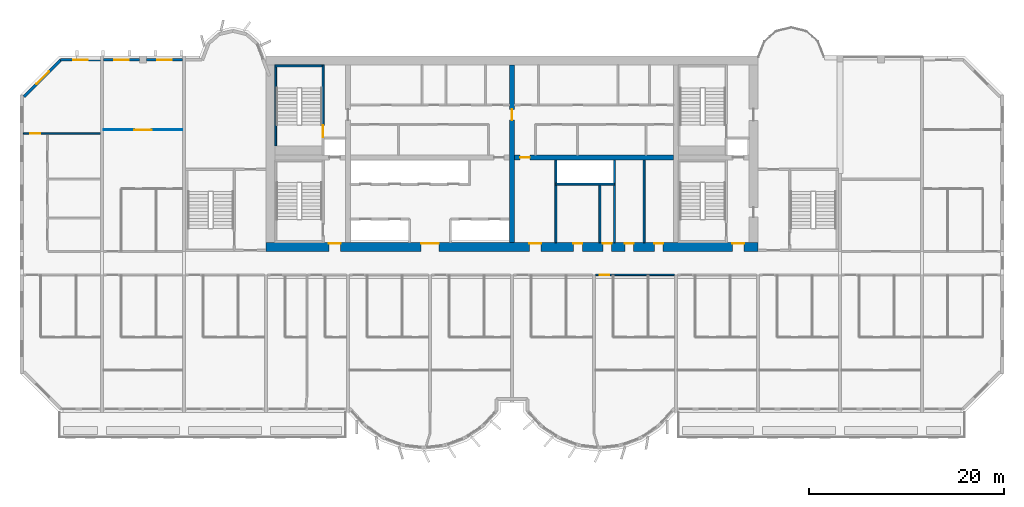
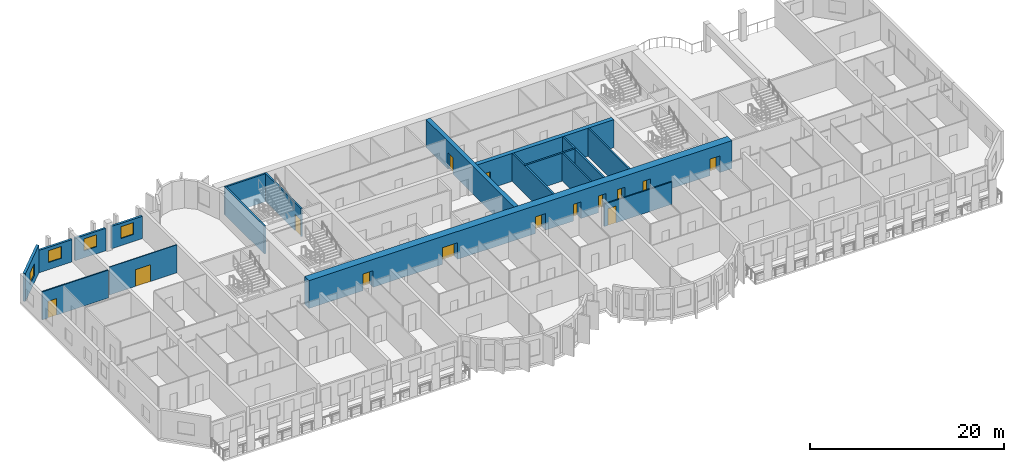
# One storey, part 7 of 15: 18 walls, 14 doors, 4 windows, 18 openings.
"""IFC4 building model written with IfcOpenShell, lengths in metres."""

from ifc_helpers import new_model, si_unit, direction, frame, frame_2d, origin, place, context, subcontext, project, spatial, rectangle, extrude, source, transform, mapped, material, layer, layer_set, type_object, element, fill, save


model = new_model("IFC4")

# Units and contexts
model_context = context("Model", 3, precision=1e-05, world=origin(), true_north=direction((0.0, 1.0)))
body_context = subcontext(model_context, "Body", "Model", "MODEL_VIEW")
ifc_project = project(units=[si_unit("LENGTHUNIT", "METRE"), si_unit("AREAUNIT", "SQUARE_METRE"), si_unit("VOLUMEUNIT", "CUBIC_METRE"), si_unit("PLANEANGLEUNIT", "RADIAN"), si_unit("MASSUNIT", "GRAM", prefix="KILO")], contexts=[model_context])

# Site, building, storey
site_placement = place(None, origin())
site = spatial("IfcSite", under=ifc_project, at=site_placement, CompositionType="ELEMENT")
building_placement = place(site_placement, origin())
building = spatial("IfcBuilding", under=site, at=building_placement, Name="Vanashikhar Sky Hotel", CompositionType="ELEMENT")
storey_placement = place(building_placement, frame((0.0, 0.0, 137.0)))
storey = spatial("IfcBuildingStorey", under=building, at=storey_placement, Name="L33", CompositionType="ELEMENT", Elevation=137.0)

# Wall, openings, doors
ifc_material_1 = material(Name="Concrete M70", Category="concrete")
ifc_layer_1 = layer(ifc_material_1, 0.89990234375)
ifc_layer_set_1 = layer_set([ifc_layer_1], Name="RC core shell wall 900 Concrete M70")
wall_type_1 = type_object("IfcWallType", Name="RC core shell wall 900 Concrete M70", PredefinedType="SHEAR", material=ifc_layer_set_1)
shared_shape_1 = source(origin(), body_context, "Body", "SweptSolid", [
    extrude(rectangle(XDim=50.400146484375, YDim=0.89990234375, at=frame_2d((25.2001953125, 0.0))), origin(), (0.0, 0.0, 1.0), 3.52001953125),
])
wall_1_placement = place(storey_placement, frame((25.199951171875, 22.449951171875, 0.0), z_axis=(0.0, 0.0, 1.0), x_axis=(1.0, 0.0, 0.0)))
wall_1 = element("IfcWall", 1, at=wall_1_placement, inside=storey, type_object=wall_type_1, Name="KW-L33-KS", PredefinedType="SHEAR", context=body_context, shape_type="MappedRepresentation", body=[
    mapped(shared_shape_1, transform((0.0, 0.0, 0.0), scale=1.0)),
])
shared_shape_2 = source(origin(), body_context, "Body", "SweptSolid", [
    extrude(rectangle(XDim=1.800048828125, YDim=2.10009765625, at=frame_2d((0.89990234375, 1.050048828125))), frame((0.0, 0.4599609375, 0.0), z_axis=(0.0, -1.0, 0.0), x_axis=(1.0, 0.0, 0.0)), (0.0, 0.0, 1.0), 0.919921875),
])
opening_1_placement = place(wall_1_placement, frame((15.89990234375, 0.0, 0.0)))
opening_1 = element("IfcOpeningElement", 2, at=opening_1_placement, cuts=wall_1, Name="Opening DC-3-A", PredefinedType="OPENING", context=body_context, shape_type="MappedRepresentation", body=[
    mapped(shared_shape_2, transform((0.0, 0.0, 0.0), scale=1.0)),
])
shared_shape_3 = source(origin(), body_context, "Body", "SweptSolid", [
    extrude(rectangle(XDim=1.199951171875, YDim=2.10009765625, at=frame_2d((0.60009765625, 1.050048828125))), frame((0.0, 0.4599609375, 0.0), z_axis=(0.0, -1.0, 0.0), x_axis=(1.0, 0.0, 0.0)), (0.0, 0.0, 1.0), 0.919921875),
])
opening_2_placement = place(wall_1_placement, frame((26.97509765625, 0.0, 0.0)))
opening_2 = element("IfcOpeningElement", 3, at=opening_2_placement, cuts=wall_1, Name="Opening DC-4-B", PredefinedType="OPENING", context=body_context, shape_type="MappedRepresentation", body=[
    mapped(shared_shape_3, transform((0.0, 0.0, 0.0), scale=1.0)),
])
shared_shape_4 = source(origin(), body_context, "Body", "SweptSolid", [
    extrude(rectangle(XDim=0.89990234375, YDim=2.10009765625, at=frame_2d((0.449951171875, 1.050048828125))), frame((0.0, 0.4599609375, 0.0), z_axis=(0.0, -1.0, 0.0), x_axis=(1.0, 0.0, 0.0)), (0.0, 0.0, 1.0), 0.919921875),
])
opening_3_placement = place(wall_1_placement, frame((34.5, 0.0, 0.0)))
opening_3 = element("IfcOpeningElement", 4, at=opening_3_placement, cuts=wall_1, Name="Opening DC-4-A", PredefinedType="OPENING", context=body_context, shape_type="MappedRepresentation", body=[
    mapped(shared_shape_4, transform((0.0, 0.0, 0.0), scale=1.0)),
])
opening_4_placement = place(wall_1_placement, frame((31.5, 0.0, 0.0)))
opening_4 = element("IfcOpeningElement", 5, at=opening_4_placement, cuts=wall_1, Name="Opening DC-4-A", PredefinedType="OPENING", context=body_context, shape_type="MappedRepresentation", body=[
    mapped(shared_shape_4, transform((0.0, 0.0, 0.0), scale=1.0)),
])
opening_5_placement = place(wall_1_placement, frame((39.7880859375, 0.0, 0.0)))
opening_5 = element("IfcOpeningElement", 6, at=opening_5_placement, cuts=wall_1, Name="Opening DC-4-A", PredefinedType="OPENING", context=body_context, shape_type="MappedRepresentation", body=[
    mapped(shared_shape_4, transform((0.0, 0.0, 0.0), scale=1.0)),
])
opening_6_placement = place(wall_1_placement, frame((36.761962890625, 0.0, 0.0)))
opening_6 = element("IfcOpeningElement", 7, at=opening_6_placement, cuts=wall_1, Name="Opening DC-4-A", PredefinedType="OPENING", context=body_context, shape_type="MappedRepresentation", body=[
    mapped(shared_shape_4, transform((0.0, 0.0, 0.0), scale=1.0)),
])
opening_7_placement = place(wall_1_placement, frame((6.449951171875, 0.0, 0.0)))
opening_7 = element("IfcOpeningElement", 8, at=opening_7_placement, cuts=wall_1, Name="Opening DC-2", PredefinedType="OPENING", context=body_context, shape_type="MappedRepresentation", body=[
    mapped(shared_shape_3, transform((0.0, 0.0, 0.0), scale=1.0)),
])
opening_8_placement = place(wall_1_placement, frame((47.77490234375, 0.0, 0.0)))
opening_8 = element("IfcOpeningElement", 9, at=opening_8_placement, cuts=wall_1, Name="Opening DC-2", PredefinedType="OPENING", context=body_context, shape_type="MappedRepresentation", body=[
    mapped(shared_shape_3, transform((0.0, 0.0, 0.0), scale=1.0)),
])
ifc_material_2 = material(Name="Glass", Category="glass")
door_type_1 = type_object("IfcDoorType", Name="Lift lobby entrance door 1800 FD30S", OperationType="NOTDEFINED", PredefinedType="DOOR", material=ifc_material_2)
shared_shape_5 = source(origin(), body_context, "Body", "SweptSolid", [
    extrude(rectangle(XDim=1.800048828125, YDim=2.10009765625, at=frame_2d((0.89990234375, 1.050048828125))), frame((0.0, 0.375, 0.0), z_axis=(0.0, -1.0, 0.0), x_axis=(1.0, 0.0, 0.0)), (0.0, 0.0, 1.0), 0.050048828125),
])
door_1_placement = place(opening_1_placement, origin())
door_1 = element("IfcDoor", 10, at=door_1_placement, inside=storey, type_object=door_type_1, Name="Lift lobby entrance door 1800 FD30S", OperationType="DOUBLE_DOOR_SINGLE_SWING", OverallHeight=2.10009765625, OverallWidth=1.800048828125, PredefinedType="DOOR", context=body_context, shape_type="MappedRepresentation", body=[
    mapped(shared_shape_5, transform((0.0, 0.0, 0.0), scale=1.0)),
])
fill(opening_1, door_1)
ifc_material_3 = material(Name="Steel", Category="steel")
door_type_2 = type_object("IfcDoorType", Name="Service door 1200 FD60", OperationType="NOTDEFINED", PredefinedType="DOOR", material=ifc_material_3)
shared_shape_6 = source(origin(), body_context, "Body", "SweptSolid", [
    extrude(rectangle(XDim=1.199951171875, YDim=2.10009765625, at=frame_2d((0.60009765625, 1.050048828125))), frame((0.0, 0.375, 0.0), z_axis=(0.0, -1.0, 0.0), x_axis=(1.0, 0.0, 0.0)), (0.0, 0.0, 1.0), 0.050048828125),
])
door_2_placement = place(opening_2_placement, origin())
door_2 = element("IfcDoor", 11, at=door_2_placement, inside=storey, type_object=door_type_2, Name="Service door 1200 FD60", OperationType="SINGLE_SWING_LEFT", OverallHeight=2.10009765625, OverallWidth=1.199951171875, PredefinedType="DOOR", context=body_context, shape_type="MappedRepresentation", body=[
    mapped(shared_shape_6, transform((0.0, 0.0, 0.0), scale=1.0)),
])
fill(opening_2, door_2)
door_type_3 = type_object("IfcDoorType", Name="Firefighting lobby door 1200 FD120", OperationType="NOTDEFINED", PredefinedType="DOOR", material=ifc_material_3)
door_3_placement = place(opening_7_placement, origin())
door_3 = element("IfcDoor", 12, at=door_3_placement, inside=storey, type_object=door_type_3, Name="Firefighting lobby door 1200 FD120", OperationType="SINGLE_SWING_LEFT", OverallHeight=2.10009765625, OverallWidth=1.199951171875, PredefinedType="DOOR", context=body_context, shape_type="MappedRepresentation", body=[
    mapped(shared_shape_6, transform((0.0, 0.0, 0.0), scale=1.0)),
])
fill(opening_7, door_3)
door_4_placement = place(opening_8_placement, origin())
door_4 = element("IfcDoor", 13, at=door_4_placement, inside=storey, type_object=door_type_3, Name="Firefighting lobby door 1200 FD120", OperationType="SINGLE_SWING_LEFT", OverallHeight=2.10009765625, OverallWidth=1.199951171875, PredefinedType="DOOR", context=body_context, shape_type="MappedRepresentation", body=[
    mapped(shared_shape_6, transform((0.0, 0.0, 0.0), scale=1.0)),
])
fill(opening_8, door_4)
door_type_4 = type_object("IfcDoorType", Name="Service door 900 FD60", OperationType="NOTDEFINED", PredefinedType="DOOR", material=ifc_material_3)
shared_shape_7 = source(origin(), body_context, "Body", "SweptSolid", [
    extrude(rectangle(XDim=0.89990234375, YDim=2.10009765625, at=frame_2d((0.449951171875, 1.050048828125))), frame((0.0, 0.375, 0.0), z_axis=(0.0, -1.0, 0.0), x_axis=(1.0, 0.0, 0.0)), (0.0, 0.0, 1.0), 0.050048828125),
])
door_5_placement = place(opening_3_placement, origin())
door_5 = element("IfcDoor", 14, at=door_5_placement, inside=storey, type_object=door_type_4, Name="Service door 900 FD60", OperationType="SINGLE_SWING_LEFT", OverallHeight=2.10009765625, OverallWidth=0.89990234375, PredefinedType="DOOR", context=body_context, shape_type="MappedRepresentation", body=[
    mapped(shared_shape_7, transform((0.0, 0.0, 0.0), scale=1.0)),
])
fill(opening_3, door_5)
door_6_placement = place(opening_4_placement, origin())
door_6 = element("IfcDoor", 15, at=door_6_placement, inside=storey, type_object=door_type_4, Name="Service door 900 FD60", OperationType="SINGLE_SWING_RIGHT", OverallHeight=2.10009765625, OverallWidth=0.89990234375, PredefinedType="DOOR", context=body_context, shape_type="MappedRepresentation", body=[
    mapped(shared_shape_7, transform((0.0, 0.0, 0.0), scale=1.0)),
])
fill(opening_4, door_6)
door_7_placement = place(opening_5_placement, origin())
door_7 = element("IfcDoor", 16, at=door_7_placement, inside=storey, type_object=door_type_4, Name="Service door 900 FD60", OperationType="SINGLE_SWING_LEFT", OverallHeight=2.10009765625, OverallWidth=0.89990234375, PredefinedType="DOOR", context=body_context, shape_type="MappedRepresentation", body=[
    mapped(shared_shape_7, transform((0.0, 0.0, 0.0), scale=1.0)),
])
fill(opening_5, door_7)
door_8_placement = place(opening_6_placement, origin())
door_8 = element("IfcDoor", 17, at=door_8_placement, inside=storey, type_object=door_type_4, Name="Service door 900 FD60", OperationType="SINGLE_SWING_RIGHT", OverallHeight=2.10009765625, OverallWidth=0.89990234375, PredefinedType="DOOR", context=body_context, shape_type="MappedRepresentation", body=[
    mapped(shared_shape_7, transform((0.0, 0.0, 0.0), scale=1.0)),
])
fill(opening_6, door_8)

# Wall, opening, door
ifc_layer_2 = layer(ifc_material_1, 0.5)
ifc_layer_set_2 = layer_set([ifc_layer_2], Name="RC core inner wall 500 Concrete M70")
wall_type_2 = type_object("IfcWallType", Name="RC core inner wall 500 Concrete M70", PredefinedType="SHEAR", material=ifc_layer_set_2)
shared_shape_8 = source(origin(), body_context, "Body", "SweptSolid", [
    extrude(rectangle(XDim=18.2001953125, YDim=0.5, at=frame_2d((9.10009765625, 0.0))), origin(), (0.0, 0.0, 1.0), 3.52001953125),
])
wall_2_placement = place(storey_placement, frame((50.39990234375, 22.89990234375, 0.0), z_axis=(0.0, 0.0, 1.0), x_axis=(0.0, 1.0, 0.0)))
wall_2 = element("IfcWall", 18, at=wall_2_placement, inside=storey, type_object=wall_type_2, Name="KW-L33-KX2", PredefinedType="SHEAR", context=body_context, shape_type="MappedRepresentation", body=[
    mapped(shared_shape_8, transform((0.0, 0.0, 0.0), scale=1.0)),
])
shared_shape_9 = source(origin(), body_context, "Body", "SweptSolid", [
    extrude(rectangle(XDim=1.10009765625, YDim=2.10009765625, at=frame_2d((0.550048828125, 1.050048828125))), frame((0.0, 0.260009765625, 0.0), z_axis=(0.0, -1.0, 0.0), x_axis=(1.0, 0.0, 0.0)), (0.0, 0.0, 1.0), 0.52001953125),
])
opening_9_placement = place(wall_2_placement, frame((12.550048828125, 0.0, 0.0)))
opening_9 = element("IfcOpeningElement", 19, at=opening_9_placement, cuts=wall_2, Name="Opening DC-4-C", PredefinedType="OPENING", context=body_context, shape_type="MappedRepresentation", body=[
    mapped(shared_shape_9, transform((0.0, 0.0, 0.0), scale=1.0)),
])
door_type_5 = type_object("IfcDoorType", Name="Service door 1100 FD60", OperationType="NOTDEFINED", PredefinedType="DOOR", material=ifc_material_3)
shared_shape_10 = source(origin(), body_context, "Body", "SweptSolid", [
    extrude(rectangle(XDim=1.10009765625, YDim=2.10009765625, at=frame_2d((0.550048828125, 1.050048828125))), frame((0.0, 0.02490234375, 0.0), z_axis=(0.0, -1.0, 0.0), x_axis=(1.0, 0.0, 0.0)), (0.0, 0.0, 1.0), 0.050048828125),
])
door_9_placement = place(opening_9_placement, origin())
door_9 = element("IfcDoor", 20, at=door_9_placement, inside=storey, type_object=door_type_5, Name="Service door 1100 FD60", OperationType="SINGLE_SWING_LEFT", OverallHeight=2.10009765625, OverallWidth=1.10009765625, PredefinedType="DOOR", context=body_context, shape_type="MappedRepresentation", body=[
    mapped(shared_shape_10, transform((0.0, 0.0, 0.0), scale=1.0)),
])
fill(opening_9, door_9)

shared_shape_11 = source(origin(), body_context, "Body", "SweptSolid", [
    extrude(rectangle(XDim=16.300048828125, YDim=0.5, at=frame_2d((8.14990234375, 0.0))), origin(), (0.0, 0.0, 1.0), 3.52001953125),
])
wall_3_placement = place(storey_placement, frame((50.64990234375, 31.60009765625, 0.0), z_axis=(0.0, 0.0, 1.0), x_axis=(1.0, 0.0, 0.0)))
wall_3 = element("IfcWall", 21, at=wall_3_placement, inside=storey, type_object=wall_type_2, Name="KW-L33-KY3", PredefinedType="SHEAR", context=body_context, shape_type="MappedRepresentation", body=[
    mapped(shared_shape_11, transform((0.0, 0.0, 0.0), scale=1.0)),
])
shared_shape_12 = source(origin(), body_context, "Body", "SweptSolid", [
    extrude(rectangle(XDim=1.0, YDim=2.10009765625, at=frame_2d((0.5, 1.050048828125))), frame((0.0, 0.260009765625, 0.0), z_axis=(0.0, -1.0, 0.0), x_axis=(1.0, 0.0, 0.0)), (0.0, 0.0, 1.0), 0.52001953125),
])
opening_10_placement = place(wall_3_placement, frame((0.574951171875, 0.0, 0.0)))
opening_10 = element("IfcOpeningElement", 22, at=opening_10_placement, cuts=wall_3, Name="Opening DC-4", PredefinedType="OPENING", context=body_context, shape_type="MappedRepresentation", body=[
    mapped(shared_shape_12, transform((0.0, 0.0, 0.0), scale=1.0)),
])
door_type_6 = type_object("IfcDoorType", Name="Service door 1000 FD60", OperationType="NOTDEFINED", PredefinedType="DOOR", material=ifc_material_3)
shared_shape_13 = source(origin(), body_context, "Body", "SweptSolid", [
    extrude(rectangle(XDim=1.0, YDim=2.10009765625, at=frame_2d((0.5, 1.050048828125))), frame((0.0, 0.02490234375, 0.0), z_axis=(0.0, -1.0, 0.0), x_axis=(1.0, 0.0, 0.0)), (0.0, 0.0, 1.0), 0.050048828125),
])
door_10_placement = place(opening_10_placement, origin())
door_10 = element("IfcDoor", 23, at=door_10_placement, inside=storey, type_object=door_type_6, Name="Service door 1000 FD60", OperationType="SINGLE_SWING_LEFT", OverallHeight=2.10009765625, OverallWidth=1.0, PredefinedType="DOOR", context=body_context, shape_type="MappedRepresentation", body=[
    mapped(shared_shape_13, transform((0.0, 0.0, 0.0), scale=1.0)),
])
fill(opening_10, door_10)

# Wall, opening, window
ifc_material_4 = material(Name="Concrete M50", Category="concrete")
ifc_layer_3 = layer(ifc_material_4, 0.300048828125)
ifc_layer_set_3 = layer_set([ifc_layer_3], Name="Lobe wall 300")
wall_type_3 = type_object("IfcWallType", Name="Lobe wall 300", PredefinedType="SOLIDWALL", material=ifc_layer_set_3)
shared_shape_14 = source(origin(), body_context, "Body", "SweptSolid", [
    extrude(rectangle(XDim=5.32568359375, YDim=0.300048828125, at=frame_2d((2.662841796875, 0.0))), origin(), (0.0, 0.0, 1.0), 3.52001953125),
])
wall_4_placement = place(storey_placement, frame((4.165771484375, 41.60009765625, 0.0), z_axis=(0.0, 0.0, 1.0), x_axis=(-0.707106781187, -0.707106781187, 0.0)))
wall_4 = element("IfcWall", 24, at=wall_4_placement, inside=storey, type_object=wall_type_3, Name="Corner wall", PredefinedType="SOLIDWALL", context=body_context, shape_type="MappedRepresentation", body=[
    mapped(shared_shape_14, transform((0.0, 0.0, 0.0), scale=1.0)),
])
shared_shape_15 = source(origin(), body_context, "Body", "SweptSolid", [
    extrude(rectangle(XDim=1.800048828125, YDim=1.5, at=frame_2d((0.89990234375, 0.75))), frame((0.0, 0.16015625, 0.0), z_axis=(0.0, -1.0, 0.0), x_axis=(1.0, 0.0, 0.0)), (0.0, 0.0, 1.0), 0.320068359375),
])
opening_11_placement = place(wall_4_placement, frame((1.671875, 0.0, 0.89990234375)))
opening_11 = element("IfcOpeningElement", 25, at=opening_11_placement, cuts=wall_4, Name="Opening WN-4", PredefinedType="OPENING", context=body_context, shape_type="MappedRepresentation", body=[
    mapped(shared_shape_15, transform((0.0, 0.0, 0.0), scale=1.0)),
])
window_type_1 = type_object("IfcWindowType", Name="Corner window 1800 x 1500", PartitioningType="SINGLE_PANEL", PredefinedType="WINDOW", material=ifc_material_2)
shared_shape_16 = source(origin(), body_context, "Body", "SweptSolid", [
    extrude(rectangle(XDim=1.800048828125, YDim=1.5, at=frame_2d((0.89990234375, 0.75))), frame((0.0, 0.030029296875, 0.0), z_axis=(0.0, -1.0, 0.0), x_axis=(1.0, 0.0, 0.0)), (0.0, 0.0, 1.0), 0.06005859375),
])
window_1_placement = place(opening_11_placement, origin())
window_1 = element("IfcWindow", 26, at=window_1_placement, inside=storey, type_object=window_type_1, Name="Window WN-4", OverallHeight=1.5, OverallWidth=1.800048828125, PartitioningType="SINGLE_PANEL", PredefinedType="WINDOW", context=body_context, shape_type="MappedRepresentation", body=[
    mapped(shared_shape_16, transform((0.0, 0.0, 0.0), scale=1.0)),
])
fill(opening_11, window_1)

ifc_layer_4 = layer(ifc_material_4, 0.25)
ifc_layer_set_4 = layer_set([ifc_layer_4], Name="Rear and end board-marked wall 250")
wall_type_4 = type_object("IfcWallType", Name="Rear and end board-marked wall 250", PredefinedType="SOLIDWALL", material=ifc_layer_set_4)
shared_shape_17 = source(origin(), body_context, "Body", "SweptSolid", [
    extrude(rectangle(XDim=4.06982421875, YDim=0.25, at=frame_2d((2.034912109375, 0.0))), origin(), (0.0, 0.0, 1.0), 2.820068359375),
])
wall_5_placement = place(storey_placement, frame((8.22509765625, 41.625, 0.0), z_axis=(0.0, 0.0, 1.0), x_axis=(-1.0, 0.0, 0.0)))
wall_5 = element("IfcWall", 27, at=wall_5_placement, inside=storey, type_object=wall_type_4, Name="Rear board-marked wall", PredefinedType="SOLIDWALL", context=body_context, shape_type="MappedRepresentation", body=[
    mapped(shared_shape_17, transform((0.0, 0.0, 0.0), scale=1.0)),
])
shared_shape_18 = source(origin(), body_context, "Body", "SweptSolid", [
    extrude(rectangle(XDim=1.5, YDim=1.5, at=frame_2d((0.75, 0.75))), frame((0.0, 0.135009765625, 0.0), z_axis=(0.0, -1.0, 0.0), x_axis=(1.0, 0.0, 0.0)), (0.0, 0.0, 1.0), 0.27001953125),
])
opening_12_placement = place(wall_5_placement, frame((1.284912109375, 0.0, 0.89990234375)))
opening_12 = element("IfcOpeningElement", 28, at=opening_12_placement, cuts=wall_5, Name="Opening WN-1", PredefinedType="OPENING", context=body_context, shape_type="MappedRepresentation", body=[
    mapped(shared_shape_18, transform((0.0, 0.0, 0.0), scale=1.0)),
])
window_type_2 = type_object("IfcWindowType", Name="Window 1500 x 1500", PartitioningType="SINGLE_PANEL", PredefinedType="WINDOW", material=ifc_material_2)
shared_shape_19 = source(origin(), body_context, "Body", "SweptSolid", [
    extrude(rectangle(XDim=1.5, YDim=1.5, at=frame_2d((0.75, 0.75))), frame((0.0, 0.030029296875, 0.0), z_axis=(0.0, -1.0, 0.0), x_axis=(1.0, 0.0, 0.0)), (0.0, 0.0, 1.0), 0.06005859375),
])
window_2_placement = place(opening_12_placement, origin())
window_2 = element("IfcWindow", 29, at=window_2_placement, inside=storey, type_object=window_type_2, Name="Window WN-1", OverallHeight=1.5, OverallWidth=1.5, PartitioningType="SINGLE_PANEL", PredefinedType="WINDOW", context=body_context, shape_type="MappedRepresentation", body=[
    mapped(shared_shape_19, transform((0.0, 0.0, 0.0), scale=1.0)),
])
fill(opening_12, window_2)

shared_shape_20 = source(origin(), body_context, "Body", "SweptSolid", [
    extrude(rectangle(XDim=3.675048828125, YDim=0.25, at=frame_2d((1.83740234375, 0.0))), origin(), (0.0, 0.0, 1.0), 2.820068359375),
])
wall_6_placement = place(storey_placement, frame((12.25, 41.625, 0.0), z_axis=(0.0, 0.0, 1.0), x_axis=(-1.0, 0.0, 0.0)))
wall_6 = element("IfcWall", 30, at=wall_6_placement, inside=storey, type_object=wall_type_4, Name="Rear board-marked wall", PredefinedType="SOLIDWALL", context=body_context, shape_type="MappedRepresentation", body=[
    mapped(shared_shape_20, transform((0.0, 0.0, 0.0), scale=1.0)),
])
opening_13_placement = place(wall_6_placement, frame((1.08740234375, 0.0, 0.89990234375)))
opening_13 = element("IfcOpeningElement", 31, at=opening_13_placement, cuts=wall_6, Name="Opening WN-1", PredefinedType="OPENING", context=body_context, shape_type="MappedRepresentation", body=[
    mapped(shared_shape_18, transform((0.0, 0.0, 0.0), scale=1.0)),
])
window_3_placement = place(opening_13_placement, origin())
window_3 = element("IfcWindow", 32, at=window_3_placement, inside=storey, type_object=window_type_2, Name="Window WN-1", OverallHeight=1.5, OverallWidth=1.5, PartitioningType="SINGLE_PANEL", PredefinedType="WINDOW", context=body_context, shape_type="MappedRepresentation", body=[
    mapped(shared_shape_19, transform((0.0, 0.0, 0.0), scale=1.0)),
])
fill(opening_13, window_3)

wall_7_placement = place(storey_placement, frame((16.625, 41.625, 0.0), z_axis=(0.0, 0.0, 1.0), x_axis=(-1.0, 0.0, 0.0)))
wall_7 = element("IfcWall", 33, at=wall_7_placement, inside=storey, type_object=wall_type_4, Name="Rear board-marked wall", PredefinedType="SOLIDWALL", context=body_context, shape_type="MappedRepresentation", body=[
    mapped(shared_shape_20, transform((0.0, 0.0, 0.0), scale=1.0)),
])
opening_14_placement = place(wall_7_placement, frame((1.08740234375, 0.0, 0.89990234375)))
opening_14 = element("IfcOpeningElement", 34, at=opening_14_placement, cuts=wall_7, Name="Opening WN-1", PredefinedType="OPENING", context=body_context, shape_type="MappedRepresentation", body=[
    mapped(shared_shape_18, transform((0.0, 0.0, 0.0), scale=1.0)),
])
window_4_placement = place(opening_14_placement, origin())
window_4 = element("IfcWindow", 35, at=window_4_placement, inside=storey, type_object=window_type_2, Name="Window WN-1", OverallHeight=1.5, OverallWidth=1.5, PartitioningType="SINGLE_PANEL", PredefinedType="WINDOW", context=body_context, shape_type="MappedRepresentation", body=[
    mapped(shared_shape_19, transform((0.0, 0.0, 0.0), scale=1.0)),
])
fill(opening_14, window_4)

# Walls
ifc_material_5 = material(Name="Concrete M40", Category="concrete")
ifc_layer_5 = layer(ifc_material_5, 0.199951171875)
ifc_layer_set_5 = layer_set([ifc_layer_5], Name="Shaft wall 200")
wall_type_5 = type_object("IfcWallType", Name="Shaft wall 200", PredefinedType="SOLIDWALL", material=ifc_layer_set_5)
shared_shape_21 = source(origin(), body_context, "Body", "SweptSolid", [
    extrude(rectangle(XDim=6.0, YDim=0.199951171875, at=frame_2d((3.0, 0.0))), origin(), (0.0, 0.0, 1.0), 3.52001953125),
])
wall_8_placement = place(storey_placement, frame((60.89990234375, 28.89990234375, 0.0), z_axis=(0.0, 0.0, 1.0), x_axis=(-1.0, 0.0, 0.0)))
element("IfcWall", 36, at=wall_8_placement, inside=storey, type_object=wall_type_5, Name="Shaft wall 200", PredefinedType="SOLIDWALL", context=body_context, shape_type="MappedRepresentation", body=[
    mapped(shared_shape_21, transform((0.0, 0.0, 0.0), scale=1.0)),
])
ifc_material_6 = material(Name="Gypsum board partition")
ifc_layer_6 = layer(ifc_material_6, 0.14990234375)
ifc_layer_set_6 = layer_set([ifc_layer_6], Name="Service partition 150")
wall_type_6 = type_object("IfcWallType", Name="Service partition 150", PredefinedType="PARTITIONING", material=ifc_layer_set_6)
wall_9_placement = place(storey_placement, frame((59.39990234375, 22.89990234375, 0.0), z_axis=(0.0, 0.0, 1.0), x_axis=(0.0, 1.0, 0.0)))
element("IfcWall", 37, at=wall_9_placement, inside=storey, type_object=wall_type_6, Name="Service partition 150", PredefinedType="PARTITIONING", context=body_context, shape_type="MappedRepresentation", body=[
    mapped(shared_shape_21, transform((0.0, 0.0, 0.0), scale=1.0)),
])
shared_shape_22 = source(origin(), body_context, "Body", "SweptSolid", [
    extrude(rectangle(XDim=8.4501953125, YDim=0.199951171875, at=frame_2d((4.22509765625, 0.0))), origin(), (0.0, 0.0, 1.0), 3.52001953125),
])
for number, where, z_axis, x_axis, name in (
    (38, (54.89990234375, 22.89990234375, 0.0), (0.0, 0.0, 1.0), (0.0, 1.0, 0.0), "Service partition 150"),
    (39, (60.89990234375, 22.89990234375, 0.0), (0.0, 0.0, 1.0), (0.0, 1.0, 0.0), "Service partition 150"),
    (40, (63.925048828125, 22.89990234375, 0.0), (0.0, 0.0, 1.0), (0.0, 1.0, 0.0), "Service partition 150"),
):
    element("IfcWall", number, at=place(storey_placement, frame(where, z_axis=z_axis, x_axis=x_axis)), inside=storey, type_object=wall_type_6, Name=name, PredefinedType="PARTITIONING", context=body_context, shape_type="MappedRepresentation", body=[
        mapped(shared_shape_22, transform((0.0, 0.0, 0.0), scale=1.0)),
    ])

# Wall, opening, door
ifc_layer_7 = layer(ifc_material_4, 0.199951171875)
ifc_layer_set_7 = layer_set([ifc_layer_7], Name="Stair wall 200")
wall_type_7 = type_object("IfcWallType", Name="Stair wall 200", PredefinedType="SOLIDWALL", material=ifc_layer_set_7)
shared_shape_23 = source(origin(), body_context, "Body", "SweptSolid", [
    extrude(rectangle(XDim=7.5, YDim=0.199951171875, at=frame_2d((3.75, 0.0))), origin(), (0.0, 0.0, 1.0), 3.52001953125),
])
wall_10_placement = place(storey_placement, frame((31.050048828125, 33.60009765625, 0.0), z_axis=(0.0, 0.0, 1.0), x_axis=(0.0, 1.0, 0.0)))
wall_10 = element("IfcWall", 41, at=wall_10_placement, inside=storey, type_object=wall_type_7, Name="Stair wall 200", PredefinedType="SOLIDWALL", context=body_context, shape_type="MappedRepresentation", body=[
    mapped(shared_shape_23, transform((0.0, 0.0, 0.0), scale=1.0)),
])
shared_shape_24 = source(origin(), body_context, "Body", "SweptSolid", [
    extrude(rectangle(XDim=1.199951171875, YDim=2.10009765625, at=frame_2d((0.60009765625, 1.050048828125))), frame((0.0, 0.10986328125, 0.0), z_axis=(0.0, -1.0, 0.0), x_axis=(1.0, 0.0, 0.0)), (0.0, 0.0, 1.0), 0.219970703125),
])
opening_15_placement = place(wall_10_placement, frame((0.10009765625, 0.0, 0.0)))
opening_15 = element("IfcOpeningElement", 42, at=opening_15_placement, cuts=wall_10, Name="Opening DC-1", PredefinedType="OPENING", context=body_context, shape_type="MappedRepresentation", body=[
    mapped(shared_shape_24, transform((0.0, 0.0, 0.0), scale=1.0)),
])
door_type_7 = type_object("IfcDoorType", Name="Stair door 1200 FD120", OperationType="NOTDEFINED", PredefinedType="DOOR", material=ifc_material_3)
shared_shape_25 = source(origin(), body_context, "Body", "SweptSolid", [
    extrude(rectangle(XDim=1.199951171875, YDim=2.10009765625, at=frame_2d((0.60009765625, 1.050048828125))), frame((0.0, 0.02490234375, 0.0), z_axis=(0.0, -1.0, 0.0), x_axis=(1.0, 0.0, 0.0)), (0.0, 0.0, 1.0), 0.050048828125),
])
door_11_placement = place(opening_15_placement, origin())
door_11 = element("IfcDoor", 43, at=door_11_placement, inside=storey, type_object=door_type_7, Name="Stair door 1200 FD120", OperationType="SINGLE_SWING_RIGHT", OverallHeight=2.10009765625, OverallWidth=1.199951171875, PredefinedType="DOOR", context=body_context, shape_type="MappedRepresentation", body=[
    mapped(shared_shape_25, transform((0.0, 0.0, 0.0), scale=1.0)),
])
fill(opening_15, door_11)

# Walls
ifc_layer_8 = layer(ifc_material_4, 0.199951171875)
ifc_layer_set_8 = layer_set([ifc_layer_8], Name="Stair infill wall 200")
wall_type_8 = type_object("IfcWallType", Name="Stair infill wall 200", PredefinedType="SOLIDWALL", material=ifc_layer_set_8)
shared_shape_26 = source(origin(), body_context, "Body", "SweptSolid", [
    extrude(rectangle(XDim=4.849853515625, YDim=0.199951171875, at=frame_2d((2.4248046875, 0.0))), origin(), (0.0, 0.0, 1.0), 3.52001953125),
])
wall_11_placement = place(storey_placement, frame((26.10009765625, 41.0, 0.0), z_axis=(0.0, 0.0, 1.0), x_axis=(1.0, 0.0, 0.0)))
element("IfcWall", 44, at=wall_11_placement, inside=storey, type_object=wall_type_8, Name="Stair infill wall 200", PredefinedType="SOLIDWALL", context=body_context, shape_type="MappedRepresentation", body=[
    mapped(shared_shape_26, transform((0.0, 0.0, 0.0), scale=1.0)),
])
shared_shape_27 = source(origin(), body_context, "Body", "SweptSolid", [
    extrude(rectangle(XDim=8.099853515625, YDim=0.199951171875, at=frame_2d((4.0498046875, 0.0))), origin(), (0.0, 0.0, 1.0), 3.52001953125),
])
wall_12_placement = place(storey_placement, frame((26.199951171875, 32.800048828125, 0.0), z_axis=(0.0, 0.0, 1.0), x_axis=(0.0, 1.0, 0.0)))
element("IfcWall", 45, at=wall_12_placement, inside=storey, type_object=wall_type_8, Name="Stair infill wall 200", PredefinedType="SOLIDWALL", context=body_context, shape_type="MappedRepresentation", body=[
    mapped(shared_shape_27, transform((0.0, 0.0, 0.0), scale=1.0)),
])

# Wall, opening, door
ifc_material_7 = material(Name="Gypsum plasterboard partition")
ifc_layer_9 = layer(ifc_material_7, 0.14990234375)
ifc_layer_set_9 = layer_set([ifc_layer_9], Name="Corridor and demising partition 150")
wall_type_9 = type_object("IfcWallType", Name="Corridor and demising partition 150", PredefinedType="PARTITIONING", material=ifc_layer_set_9)
shared_shape_28 = source(origin(), body_context, "Body", "SweptSolid", [
    extrude(rectangle(XDim=8.0498046875, YDim=0.14990234375, at=frame_2d((4.02490234375, 0.0))), origin(), (0.0, 0.0, 1.0), 2.820068359375),
])
wall_13_placement = place(storey_placement, frame((58.97509765625, 19.60009765625, 0.0), z_axis=(0.0, 0.0, 1.0), x_axis=(1.0, 0.0, 0.0)))
wall_13 = element("IfcWall", 46, at=wall_13_placement, inside=storey, type_object=wall_type_9, Name="W-L33-PW046", PredefinedType="PARTITIONING", context=body_context, shape_type="MappedRepresentation", body=[
    mapped(shared_shape_28, transform((0.0, 0.0, 0.0), scale=1.0)),
])
shared_shape_29 = source(origin(), body_context, "Body", "SweptSolid", [
    extrude(rectangle(XDim=1.0, YDim=2.10009765625, at=frame_2d((0.5, 1.050048828125))), frame((0.0, 0.0849609375, 0.0), z_axis=(0.0, -1.0, 0.0), x_axis=(1.0, 0.0, 0.0)), (0.0, 0.0, 1.0), 0.169921875),
])
opening_16_placement = place(wall_13_placement, frame((0.39990234375, 0.0, 0.0)))
opening_16 = element("IfcOpeningElement", 47, at=opening_16_placement, cuts=wall_13, Name="Opening D-01", PredefinedType="OPENING", context=body_context, shape_type="MappedRepresentation", body=[
    mapped(shared_shape_29, transform((0.0, 0.0, 0.0), scale=1.0)),
])
ifc_material_8 = material(Name="Timber fire door", Category="wood")
door_type_8 = type_object("IfcDoorType", Name="Guest entry door 1000 FD30S", OperationType="NOTDEFINED", PredefinedType="DOOR", material=ifc_material_8)
door_12_placement = place(opening_16_placement, origin())
door_12 = element("IfcDoor", 48, at=door_12_placement, inside=storey, type_object=door_type_8, Name="D-L33-029", OperationType="SINGLE_SWING_LEFT", OverallHeight=2.10009765625, OverallWidth=1.0, PredefinedType="DOOR", context=body_context, shape_type="MappedRepresentation", body=[
    mapped(shared_shape_13, transform((0.0, 0.0, 0.0), scale=1.0)),
])
fill(opening_16, door_12)

shared_shape_30 = source(origin(), body_context, "Body", "SweptSolid", [
    extrude(rectangle(XDim=7.875, YDim=0.14990234375, at=frame_2d((3.9375, 0.0))), origin(), (0.0, 0.0, 1.0), 3.52001953125),
])
wall_14_placement = place(storey_placement, frame((0.35009765625, 34.074951171875, 0.0), z_axis=(0.0, 0.0, 1.0), x_axis=(1.0, 0.0, 0.0)))
wall_14 = element("IfcWall", 49, at=wall_14_placement, inside=storey, type_object=wall_type_9, Name="W-L33-PW078", PredefinedType="PARTITIONING", context=body_context, shape_type="MappedRepresentation", body=[
    mapped(shared_shape_30, transform((0.0, 0.0, 0.0), scale=1.0)),
])
opening_17_placement = place(wall_14_placement, frame((0.699951171875, 0.0, 0.0)))
opening_17 = element("IfcOpeningElement", 50, at=opening_17_placement, cuts=wall_14, Name="Opening D-01", PredefinedType="OPENING", context=body_context, shape_type="MappedRepresentation", body=[
    mapped(shared_shape_29, transform((0.0, 0.0, 0.0), scale=1.0)),
])
door_13_placement = place(opening_17_placement, origin())
door_13 = element("IfcDoor", 51, at=door_13_placement, inside=storey, type_object=door_type_8, Name="D-L33-048", OperationType="SINGLE_SWING_LEFT", OverallHeight=2.10009765625, OverallWidth=1.0, PredefinedType="DOOR", context=body_context, shape_type="MappedRepresentation", body=[
    mapped(shared_shape_13, transform((0.0, 0.0, 0.0), scale=1.0)),
])
fill(opening_17, door_13)

ifc_layer_10 = layer(ifc_material_7, 0.10009765625)
ifc_layer_set_10 = layer_set([ifc_layer_10], Name="Wet room partition 100")
wall_type_10 = type_object("IfcWallType", Name="Wet room partition 100", PredefinedType="PARTITIONING", material=ifc_layer_set_10)
shared_shape_31 = source(origin(), body_context, "Body", "SweptSolid", [
    extrude(rectangle(XDim=8.050048828125, YDim=0.10009765625, at=frame_2d((4.02490234375, 0.0))), origin(), (0.0, 0.0, 1.0), 3.52001953125),
])
wall_15_placement = place(storey_placement, frame((8.574951171875, 34.452880859375, 0.0), z_axis=(0.0, 0.0, 1.0), x_axis=(1.0, 0.0, 0.0)))
wall_15 = element("IfcWall", 52, at=wall_15_placement, inside=storey, type_object=wall_type_10, Name="W-L33-PW083", PredefinedType="PARTITIONING", context=body_context, shape_type="MappedRepresentation", body=[
    mapped(shared_shape_31, transform((0.0, 0.0, 0.0), scale=1.0)),
])
shared_shape_32 = source(origin(), body_context, "Body", "SweptSolid", [
    extrude(rectangle(XDim=1.800048828125, YDim=2.10009765625, at=frame_2d((0.89990234375, 1.050048828125))), frame((0.0, 0.06005859375, 0.0), z_axis=(0.0, -1.0, 0.0), x_axis=(1.0, 0.0, 0.0)), (0.0, 0.0, 1.0), 0.1201171875),
])
opening_18_placement = place(wall_15_placement, frame((3.125, 0.0, 0.0)))
opening_18 = element("IfcOpeningElement", 53, at=opening_18_placement, cuts=wall_15, Name="Opening D-08", PredefinedType="OPENING", context=body_context, shape_type="MappedRepresentation", body=[
    mapped(shared_shape_32, transform((0.0, 0.0, 0.0), scale=1.0)),
])
ifc_material_9 = material(Name="Timber door", Category="wood")
door_type_9 = type_object("IfcDoorType", Name="Double leaf door 1800", OperationType="NOTDEFINED", PredefinedType="DOOR", material=ifc_material_9)
shared_shape_33 = source(origin(), body_context, "Body", "SweptSolid", [
    extrude(rectangle(XDim=1.800048828125, YDim=2.10009765625, at=frame_2d((0.89990234375, 1.050048828125))), frame((0.0, 0.02490234375, 0.0), z_axis=(0.0, -1.0, 0.0), x_axis=(1.0, 0.0, 0.0)), (0.0, 0.0, 1.0), 0.050048828125),
])
door_14_placement = place(opening_18_placement, origin())
door_14 = element("IfcDoor", 54, at=door_14_placement, inside=storey, type_object=door_type_9, Name="D-L33-051", OperationType="DOUBLE_DOOR_SINGLE_SWING", OverallHeight=2.10009765625, OverallWidth=1.800048828125, PredefinedType="DOOR", context=body_context, shape_type="MappedRepresentation", body=[
    mapped(shared_shape_33, transform((0.0, 0.0, 0.0), scale=1.0)),
])
fill(opening_18, door_14)

save(model, "model.ifc")
